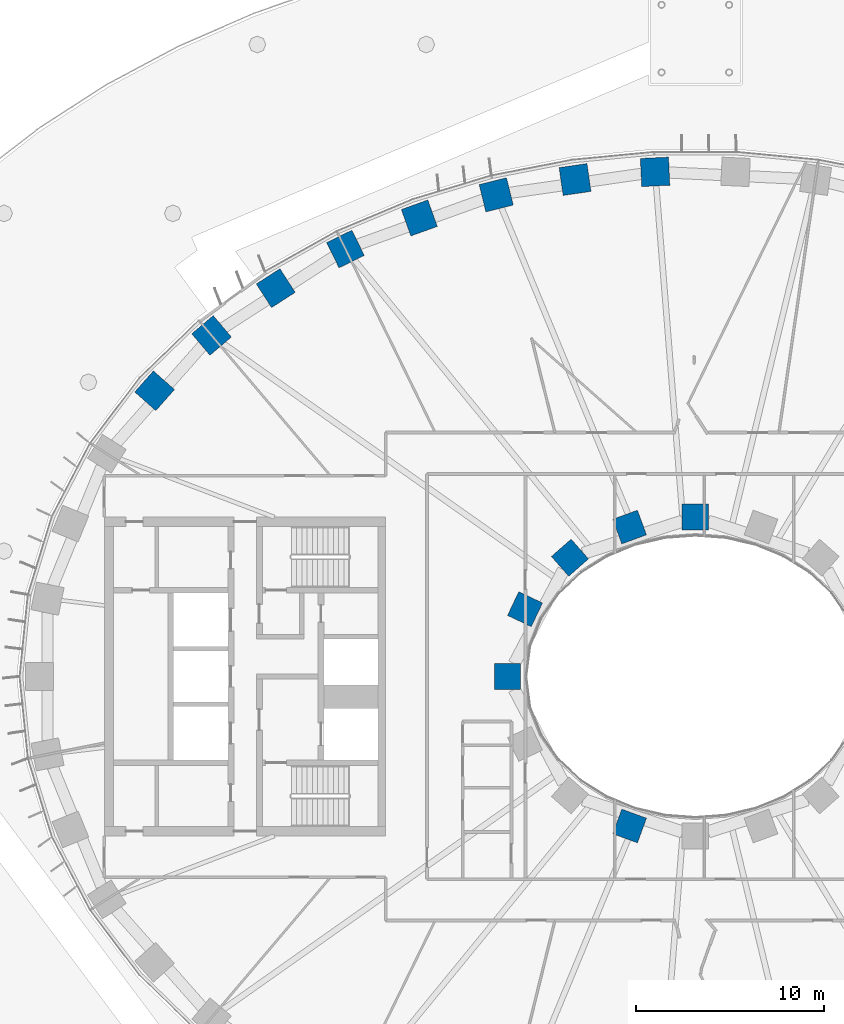
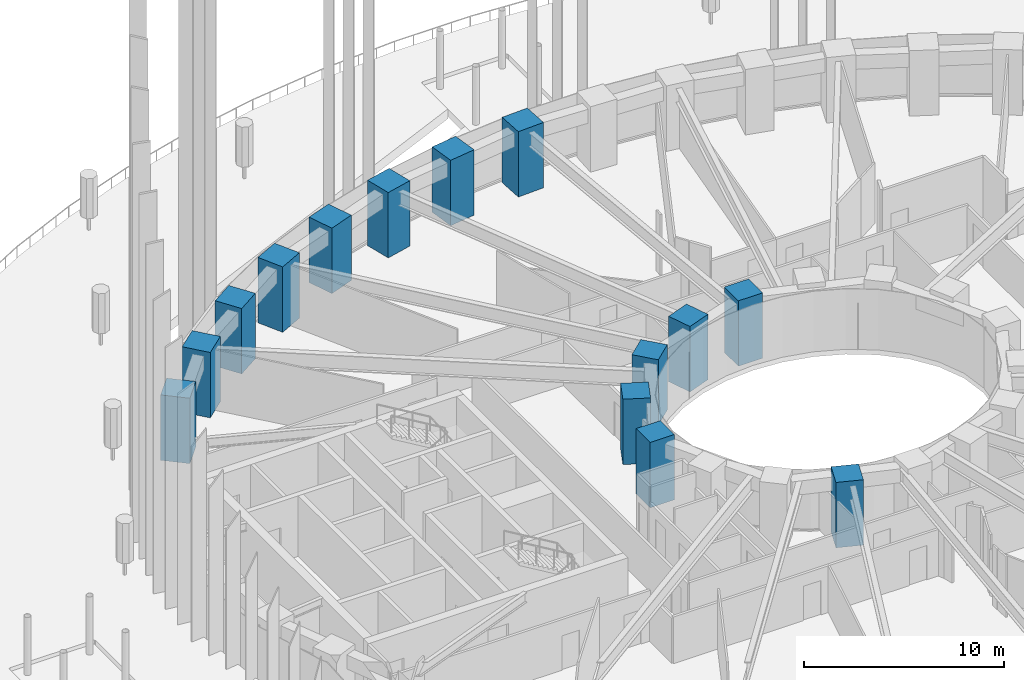
# One storey, part 3 of 30: 14 columns.
"""IFC4 building model written with IfcOpenShell, lengths in metres."""

from ifc_helpers import new_model, si_unit, direction, frame, origin, origin_2d, place, context, subcontext, project, spatial, rectangle, extrude, material, material_profile, profile_set, type_object, element, save


model = new_model("IFC4")

# Units and contexts
model_context = context("Model", 3, precision=1e-05, world=origin(), true_north=direction((0.0, 1.0)))
body_context = subcontext(model_context, "Body", "Model", "MODEL_VIEW")
ifc_project = project(units=[si_unit("LENGTHUNIT", "METRE"), si_unit("AREAUNIT", "SQUARE_METRE"), si_unit("VOLUMEUNIT", "CUBIC_METRE"), si_unit("PLANEANGLEUNIT", "RADIAN"), si_unit("MASSUNIT", "GRAM", prefix="KILO")], contexts=[model_context])

# Site, building, storey
site_placement = place(None, origin())
site = spatial("IfcSite", under=ifc_project, at=site_placement, CompositionType="ELEMENT")
building_placement = place(site_placement, origin())
building = spatial("IfcBuilding", under=site, at=building_placement, Name="Noorbagh Ring Tower", CompositionType="ELEMENT")
storey_placement = place(building_placement, frame((0.0, 0.0, 30.5)))
storey = spatial("IfcBuildingStorey", under=building, at=storey_placement, Name="L05", CompositionType="ELEMENT", Elevation=30.5)

# Columns
ifc_material_1 = material(Name="Concrete C70/85", Category="concrete")
ifc_material_profile_1 = material_profile(ifc_material_1, rectangle(XDim=1.5, YDim=1.5, at=origin_2d()), Name="RC1500x1500")
ifc_profile_set_1 = profile_set([ifc_material_profile_1], Name="Concrete C70/85")
column_type_1 = type_object("IfcColumnType", Name="STR-COL-RC1500x1500-C70-85", PredefinedType="COLUMN", material=ifc_profile_set_1)
for number, where, z_axis, x_axis, name in (
    (1, (-2.14306640625, 26.89794921875, 0.0), (0.0, 0.0, 1.0), (-0.998868731212, -0.047552684538, 0.0), "L05/col/R1-13"),
    (2, (-6.4091796875, 26.49072265625, 0.0), (0.0, 0.0, 1.0), (-0.989713114048, -0.143066249975, 0.0), "L05/col/R1-14"),
    (3, (-10.61328125, 25.673583984375, 0.0), (0.0, 0.0, 1.0), (-0.970829360981, -0.239771457553, 0.0), "L05/col/R1-15"),
    (4, (-14.70947265625, 24.44091796875, 0.0), (0.0, 0.0, 1.0), (-0.941024726094, -0.338337797003, 0.0), "L05/col/R1-16"),
    (5, (-18.646240234375, 22.785400390625, 0.0), (0.0, 0.0, 1.0), (-0.898399080868, -0.439180021741, 0.0), "L05/col/R1-17"),
    (6, (-22.362060546875, 20.699951171875, 0.0), (0.0, 0.0, 1.0), (-0.840247639643, -0.542202825586, 0.0), "L05/col/R1-18"),
    (7, (-25.78271484375, 18.180419921875, 0.0), (0.0, 0.0, 1.0), (-0.763035199656, -0.646356932419, 0.0), "L05/col/R1-19"),
    (8, (-28.81884765625, 15.23046875, 0.0), (0.0, 0.0, 1.0), (-0.662635642662, -0.748941923699, 0.0), "L05/col/R1-20"),
):
    element("IfcColumn", number, at=place(storey_placement, frame(where, z_axis=z_axis, x_axis=x_axis)), inside=storey, type_object=column_type_1, Name=name, PredefinedType="COLUMN", context=body_context, shape_type="SweptSolid", body=[
        extrude(rectangle(XDim=1.5, YDim=1.5, at=origin_2d()), origin(), (0.0, 0.0, 1.0), 4.0),
    ])
ifc_material_2 = material(Name="Concrete C70/85", Category="concrete")
ifc_material_profile_2 = material_profile(ifc_material_2, rectangle(XDim=1.39990234375, YDim=1.39990234375, at=origin_2d()), Name="RC1400x1400")
ifc_profile_set_2 = profile_set([ifc_material_profile_2], Name="Concrete C70/85")
column_type_2 = type_object("IfcColumnType", Name="STR-ICOL-RC1400x1400-C70-85", PredefinedType="COLUMN", material=ifc_profile_set_2)
for number, where, z_axis, x_axis, name in (
    (9, (0.0, 8.5029296875, 0.0), (0.0, 0.0, 1.0), (-1.0, 0.0, 0.0), "L05/col/IR2-W09"),
    (10, (-3.5009765625, 7.967041015625, 0.0), (0.0, 0.0, 1.0), (-0.939019578916, -0.343863679984, 0.0), "L05/col/IR2-W11"),
    (11, (-6.68212890625, 6.333740234375, 0.0), (0.0, 0.0, 1.0), (-0.75102249095, -0.660276622399, 0.0), "L05/col/IR2-W13"),
    (12, (-9.07568359375, 3.58837890625, 0.0), (0.0, 0.0, 1.0), (-0.428666979171, -0.903462573087, 0.0), "L05/col/IR2-W15"),
    (13, (-10.00830078125, 0.0, 0.0), (0.0, 0.0, 1.0), (0.0, -1.0, 0.0), "L05/col/IR2-W17"),
    (14, (-3.5009765625, -7.967041015625, 0.0), (0.0, 0.0, 1.0), (0.939019578916, -0.343863679984, 0.0), "L05/col/IR2-W23"),
):
    element("IfcColumn", number, at=place(storey_placement, frame(where, z_axis=z_axis, x_axis=x_axis)), inside=storey, type_object=column_type_2, Name=name, PredefinedType="COLUMN", context=body_context, shape_type="SweptSolid", body=[
        extrude(rectangle(XDim=1.39990234375, YDim=1.39990234375, at=origin_2d()), origin(), (0.0, 0.0, 1.0), 4.0),
    ])

save(model, "model.ifc")
